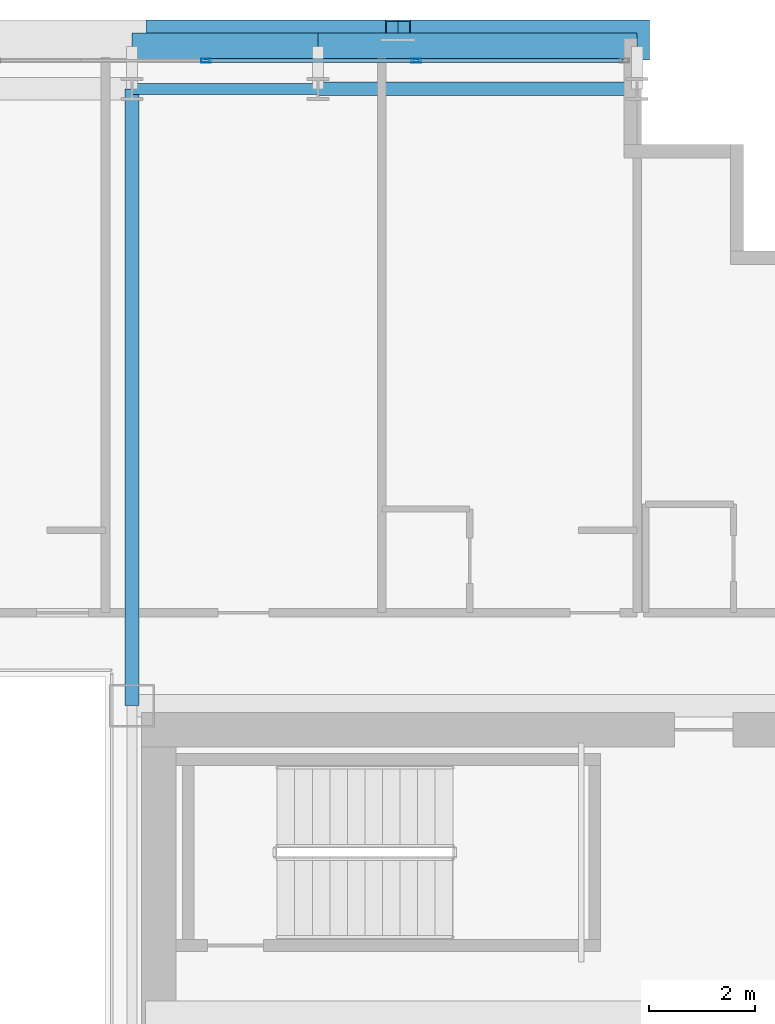
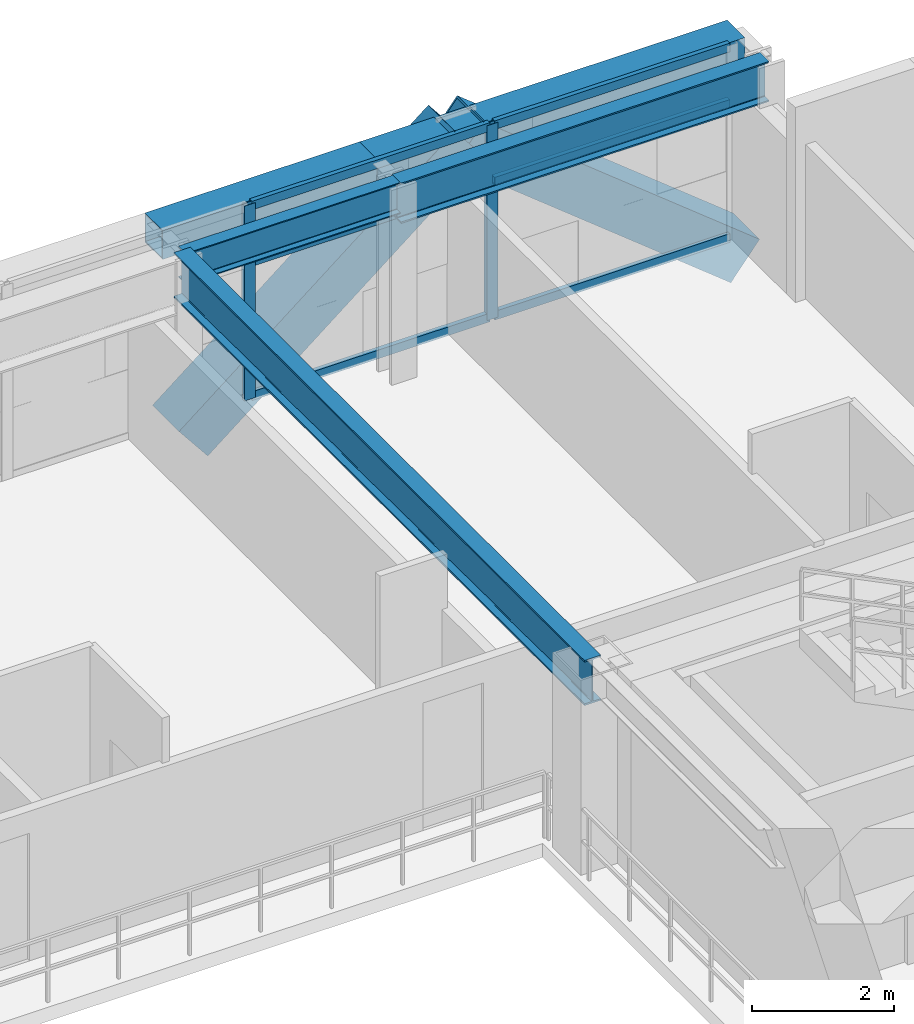
# One storey, part 21 of 35: 10 members, 5 beams, 1 element without a shape of its own.
"""IFC4 building model written with IfcOpenShell, lengths in metres."""

from ifc_helpers import new_model, si_unit, direction, frame, origin, origin_2d, place, context, subcontext, project, spatial, hollow_rectangle, i_section, extrude, source, transform, mapped, material, layer, layer_set, material_profile, profile_set, type_object, element, aggregate, save


model = new_model("IFC4")

# Units and contexts
model_context = context("Model", 3, precision=1e-05, world=origin(), true_north=direction((0.0, 1.0)))
body_context = subcontext(model_context, "Body", "Model", "MODEL_VIEW")
ifc_project = project(units=[si_unit("LENGTHUNIT", "METRE"), si_unit("AREAUNIT", "SQUARE_METRE"), si_unit("VOLUMEUNIT", "CUBIC_METRE"), si_unit("PLANEANGLEUNIT", "RADIAN"), si_unit("MASSUNIT", "GRAM", prefix="KILO")], contexts=[model_context])

# Site, building, storey
site_placement = place(None, origin())
site = spatial("IfcSite", under=ifc_project, at=site_placement, CompositionType="ELEMENT")
building_placement = place(site_placement, origin())
building = spatial("IfcBuilding", under=site, at=building_placement, Name="Ocotamira Hotel", CompositionType="ELEMENT")
storey_placement = place(building_placement, frame((0.0, 0.0, 140.39990234375)))
storey = spatial("IfcBuildingStorey", under=building, at=storey_placement, Name="L35", CompositionType="ELEMENT", Elevation=140.39990234375)

# Beams
ifc_material_1 = material(Name="Steel ASTM A992 Grade 50", Category="steel")
ifc_material_profile_1 = material_profile(ifc_material_1, i_section(OverallWidth=0.256103515625, OverallDepth=0.693115234375, WebThickness=0.014404296875, FlangeThickness=0.023681640625, FilletRadius=0.01611328125, at=origin_2d()), Name="W27X114")
ifc_profile_set_1 = profile_set([ifc_material_profile_1], Name="Steel ASTM A992 Grade 50")
beam_type_1 = type_object("IfcBeamType", Name="BM-PRIM-W27X114", PredefinedType="BEAM", material=ifc_profile_set_1)
shared_shape_1 = source(origin(), body_context, "Body", "SweptSolid", [
    extrude(i_section(OverallWidth=0.256103515625, OverallDepth=0.693115234375, WebThickness=0.014404296875, FlangeThickness=0.023681640625, FilletRadius=0.01611328125, at=origin_2d()), origin(), (0.0, 0.0, 1.0), 6.0),
])
beam_1_placement = place(storey_placement, frame((44.0, 49.050048828125, 3.013671875), z_axis=(1.0, 0.0, 0.0), x_axis=(0.0, 1.0, 0.0)))
element("IfcBeam", 1, at=beam_1_placement, inside=storey, type_object=beam_type_1, Name="L35 Girder Y49.05 X44-50", PredefinedType="BEAM", context=body_context, shape_type="MappedRepresentation", body=[
    mapped(shared_shape_1, transform((0.0, 0.0, 0.0), scale=1.0)),
])
ifc_material_profile_2 = material_profile(ifc_material_1, i_section(OverallWidth=0.2099609375, OverallDepth=0.537109375, WebThickness=0.010986328125, FlangeThickness=0.017333984375, FilletRadius=0.012939453125, at=origin_2d()), Name="W21X68")
ifc_profile_set_2 = profile_set([ifc_material_profile_2], Name="Steel ASTM A992 Grade 50")
beam_type_2 = type_object("IfcBeamType", Name="BM-SEC-W21X68", PredefinedType="JOIST", material=ifc_profile_set_2)
shared_shape_2 = source(origin(), body_context, "Body", "SweptSolid", [
    extrude(i_section(OverallWidth=0.2099609375, OverallDepth=0.537109375, WebThickness=0.010986328125, FlangeThickness=0.017333984375, FilletRadius=0.012939453125, at=origin_2d()), origin(), (0.0, 0.0, 1.0), 3.5),
])
beam_2_placement = place(storey_placement, frame((40.5, 49.050048828125, 3.091552734375), z_axis=(1.0, 0.0, 0.0), x_axis=(0.0, 1.0, 0.0)))
element("IfcBeam", 2, at=beam_2_placement, inside=storey, type_object=beam_type_2, Name="L35 Girder Y49.05 X40.5-44", PredefinedType="JOIST", context=body_context, shape_type="MappedRepresentation", body=[
    mapped(shared_shape_2, transform((0.0, 0.0, 0.0), scale=1.0)),
])
ifc_material_profile_3 = material_profile(ifc_material_1, i_section(OverallWidth=0.26611328125, OverallDepth=0.779052734375, WebThickness=0.0166015625, FlangeThickness=0.030029296875, FilletRadius=0.01806640625, at=origin_2d()), Name="W30X148")
ifc_profile_set_3 = profile_set([ifc_material_profile_3], Name="Steel ASTM A992 Grade 50")
beam_type_3 = type_object("IfcBeamType", Name="BM-GIRD-W30X148", PredefinedType="BEAM", material=ifc_profile_set_3)
shared_shape_3 = source(origin(), body_context, "Body", "SweptSolid", [
    extrude(i_section(OverallWidth=0.26611328125, OverallDepth=0.779052734375, WebThickness=0.0166015625, FlangeThickness=0.030029296875, FilletRadius=0.01806640625, at=origin_2d()), origin(), (0.0, 0.0, 1.0), 11.60009765625),
])
beam_3_placement = place(storey_placement, frame((40.5, 37.449951171875, 2.970703125), z_axis=(0.0, 1.0, 0.0), x_axis=(-1.0, 0.0, 0.0)))
element("IfcBeam", 3, at=beam_3_placement, inside=storey, type_object=beam_type_3, Name="L35 Beam X40.5 Y37.45-49.05", PredefinedType="BEAM", context=body_context, shape_type="MappedRepresentation", body=[
    mapped(shared_shape_3, transform((0.0, 0.0, 0.0), scale=1.0)),
])
ifc_material_2 = material(Name="Steel ASTM A500 Grade C", Category="steel")
ifc_material_profile_4 = material_profile(ifc_material_2, hollow_rectangle(XDim=0.5, YDim=0.5, WallThickness=0.02001953125, at=origin_2d()), Name="HSS500X500X20")
ifc_profile_set_4 = profile_set([ifc_material_profile_4], Name="Steel ASTM A500 Grade C")
beam_type_4 = type_object("IfcBeamType", Name="BM-SPAN-HSS500", PredefinedType="USERDEFINED", material=ifc_profile_set_4)
shared_shape_4 = source(origin(), body_context, "Body", "SweptSolid", [
    extrude(hollow_rectangle(XDim=0.5, YDim=0.5, WallThickness=0.02001953125, at=origin_2d()), origin(), (0.0, 0.0, 1.0), 6.0),
])
beam_4_placement = place(storey_placement, frame((44.0, 49.85009765625, 3.110107421875), z_axis=(1.0, 0.0, 0.0), x_axis=(0.0, 1.0, 0.0)))
element("IfcBeam", 4, at=beam_4_placement, inside=storey, type_object=beam_type_4, Name="L35 Edge Spandrel N X44-50", ObjectType="SPANDREL", PredefinedType="USERDEFINED", context=body_context, shape_type="MappedRepresentation", body=[
    mapped(shared_shape_4, transform((0.0, 0.0, 0.0), scale=1.0)),
])
shared_shape_5 = source(origin(), body_context, "Body", "SweptSolid", [
    extrude(hollow_rectangle(XDim=0.5, YDim=0.5, WallThickness=0.02001953125, at=origin_2d()), origin(), (0.0, 0.0, 1.0), 3.5),
])
beam_5_placement = place(storey_placement, frame((40.5, 49.85009765625, 3.110107421875), z_axis=(1.0, 0.0, 0.0), x_axis=(0.0, 1.0, 0.0)))
element("IfcBeam", 5, at=beam_5_placement, inside=storey, type_object=beam_type_4, Name="L35 Edge Spandrel N X40.5-44", ObjectType="SPANDREL", PredefinedType="USERDEFINED", context=body_context, shape_type="MappedRepresentation", body=[
    mapped(shared_shape_5, transform((0.0, 0.0, 0.0), scale=1.0)),
])

# Members
ifc_material_3 = material(Name="Pale-metal coated steel ASTM A913 Grade 65", Category="steel")
ifc_material_profile_5 = material_profile(ifc_material_3, hollow_rectangle(XDim=0.75, YDim=0.75, WallThickness=0.028076171875, at=origin_2d()), Name="BOX750X750X28")
ifc_profile_set_5 = profile_set([ifc_material_profile_5], Name="Pale-metal coated steel ASTM A913 Grade 65")
member_type_1 = type_object("IfcMemberType", Name="MEM-EXO-BOX750", PredefinedType="BRACE", material=ifc_profile_set_5)
shared_shape_6 = source(origin(), body_context, "Body", "SweptSolid", [
    extrude(hollow_rectangle(XDim=0.75, YDim=0.75, WallThickness=0.028076171875, at=origin_2d()), origin(), (0.0, 0.0, 1.0), 5.762939453125),
])
for number, where, z_axis, x_axis, name in (
    (6, (41.0, 49.969970703125, -0.489990234375), (0.780860543151, 0.0, 0.624705380279), (0.0, 1.0, 0.0), "L35 Exoskeleton Diagrid N3.1"),
    (7, (50.0, 49.969970703125, -0.489990234375), (-0.780860543151, 0.0, 0.624705380279), (0.0, -1.0, 0.0), "L35 Exoskeleton Diagrid N3.2"),
):
    element("IfcMember", number, at=place(storey_placement, frame(where, z_axis=z_axis, x_axis=x_axis)), inside=storey, type_object=member_type_1, Name=name, PredefinedType="BRACE", context=body_context, shape_type="MappedRepresentation", body=[
        mapped(shared_shape_6, transform((0.0, 0.0, 0.0), scale=1.0)),
    ])

# Curtain wall, members
ifc_material_4 = material(Name="Anodised pale-metal aluminium and solar glass", Category="aluminium")
ifc_layer = layer(ifc_material_4, 0.179931640625)
ifc_layer_set = layer_set([ifc_layer], Name="Anodised pale-metal aluminium and solar glass")
curtain_wall_type = type_object("IfcCurtainWallType", Name="CW-SYS3-Z2", PredefinedType="NOTDEFINED", material=ifc_layer_set)
curtain_wall_placement = place(storey_placement, origin())
curtain_wall = element("IfcCurtainWall", 8, at=curtain_wall_placement, inside=storey, type_object=curtain_wall_type, Name="L35 Curtain Wall CW-3 CW-L35-N", PredefinedType="NOTDEFINED")
ifc_material_5 = material(Name="Anodised pale-metal aluminium 6063-T6", Category="aluminium")
ifc_material_profile_6 = material_profile(ifc_material_5, hollow_rectangle(XDim=0.074951171875, YDim=0.14990234375, WallThickness=0.006103515625, at=origin_2d()), Name="HSS150X75X6")
ifc_profile_set_6 = profile_set([ifc_material_profile_6], Name="Anodised pale-metal aluminium 6063-T6")
member_type_2 = type_object("IfcMemberType", Name="CWT-150X75", PredefinedType="USERDEFINED", material=ifc_profile_set_6)
shared_shape_7 = source(origin(), body_context, "Body", "SweptSolid", [
    extrude(hollow_rectangle(XDim=0.074951171875, YDim=0.14990234375, WallThickness=0.006103515625, at=origin_2d()), origin(), (0.0, 0.0, 1.0), 3.83544921875),
])
member_1_placement = place(storey_placement, frame((45.884521484375, 49.580078125, 0.03759765625), z_axis=(1.0, 0.0, 0.0), x_axis=(0.0, 1.0, 0.0)))
member_1 = element("IfcMember", 9, at=member_1_placement, type_object=member_type_2, Name="CW-3 transom 9.1", ObjectType="TRANSOM", PredefinedType="USERDEFINED", context=body_context, shape_type="MappedRepresentation", body=[
    mapped(shared_shape_7, transform((0.0, 0.0, 0.0), scale=1.0)),
])
member_2_placement = place(storey_placement, frame((45.884521484375, 49.580078125, 2.35009765625), z_axis=(1.0, 0.0, 0.0), x_axis=(0.0, 1.0, 0.0)))
member_2 = element("IfcMember", 10, at=member_2_placement, type_object=member_type_2, Name="CW-3 transom 9.2", ObjectType="TRANSOM", PredefinedType="USERDEFINED", context=body_context, shape_type="MappedRepresentation", body=[
    mapped(shared_shape_7, transform((0.0, 0.0, 0.0), scale=1.0)),
])
member_3_placement = place(storey_placement, frame((45.884521484375, 49.580078125, 3.322509765625), z_axis=(1.0, 0.0, 0.0), x_axis=(0.0, 1.0, 0.0)))
member_3 = element("IfcMember", 11, at=member_3_placement, type_object=member_type_2, Name="CW-3 transom 9.3", ObjectType="TRANSOM", PredefinedType="USERDEFINED", context=body_context, shape_type="MappedRepresentation", body=[
    mapped(shared_shape_7, transform((0.0, 0.0, 0.0), scale=1.0)),
])
shared_shape_8 = source(origin(), body_context, "Body", "SweptSolid", [
    extrude(hollow_rectangle(XDim=0.074951171875, YDim=0.14990234375, WallThickness=0.006103515625, at=origin_2d()), origin(), (0.0, 0.0, 1.0), 3.87548828125),
])
member_4_placement = place(storey_placement, frame((41.928955078125, 49.580078125, 0.03759765625), z_axis=(1.0, 0.0, 0.0), x_axis=(0.0, 1.0, 0.0)))
member_4 = element("IfcMember", 12, at=member_4_placement, type_object=member_type_2, Name="CW-3 transom 8.1", ObjectType="TRANSOM", PredefinedType="USERDEFINED", context=body_context, shape_type="MappedRepresentation", body=[
    mapped(shared_shape_8, transform((0.0, 0.0, 0.0), scale=1.0)),
])
member_5_placement = place(storey_placement, frame((41.928955078125, 49.580078125, 2.35009765625), z_axis=(1.0, 0.0, 0.0), x_axis=(0.0, 1.0, 0.0)))
member_5 = element("IfcMember", 13, at=member_5_placement, type_object=member_type_2, Name="CW-3 transom 8.2", ObjectType="TRANSOM", PredefinedType="USERDEFINED", context=body_context, shape_type="MappedRepresentation", body=[
    mapped(shared_shape_8, transform((0.0, 0.0, 0.0), scale=1.0)),
])
member_6_placement = place(storey_placement, frame((41.928955078125, 49.580078125, 3.322509765625), z_axis=(1.0, 0.0, 0.0), x_axis=(0.0, 1.0, 0.0)))
member_6 = element("IfcMember", 14, at=member_6_placement, type_object=member_type_2, Name="CW-3 transom 8.3", ObjectType="TRANSOM", PredefinedType="USERDEFINED", context=body_context, shape_type="MappedRepresentation", body=[
    mapped(shared_shape_8, transform((0.0, 0.0, 0.0), scale=1.0)),
])
ifc_material_profile_7 = material_profile(ifc_material_5, hollow_rectangle(XDim=0.080078125, YDim=0.179931640625, WallThickness=0.006103515625, at=origin_2d()), Name="HSS180X80X6")
ifc_profile_set_7 = profile_set([ifc_material_profile_7], Name="Anodised pale-metal aluminium 6063-T6")
member_type_3 = type_object("IfcMemberType", Name="CWM-180X75", PredefinedType="MULLION", material=ifc_profile_set_7)
shared_shape_9 = source(origin(), body_context, "Body", "SweptSolid", [
    extrude(hollow_rectangle(XDim=0.080078125, YDim=0.179931640625, WallThickness=0.006103515625, at=origin_2d()), origin(), (0.0, 0.0, 1.0), 3.360107421875),
])
member_7_placement = place(storey_placement, frame((41.888916015625, 49.580078125, 0.0), z_axis=(0.0, 0.0, 1.0), x_axis=(0.0, 1.0, 0.0)))
member_7 = element("IfcMember", 15, at=member_7_placement, type_object=member_type_3, Name="CW-3 mullion 8", PredefinedType="MULLION", context=body_context, shape_type="MappedRepresentation", body=[
    mapped(shared_shape_9, transform((0.0, 0.0, 0.0), scale=1.0)),
])
member_8_placement = place(storey_placement, frame((45.844482421875, 49.580078125, 0.0), z_axis=(0.0, 0.0, 1.0), x_axis=(0.0, 1.0, 0.0)))
member_8 = element("IfcMember", 16, at=member_8_placement, type_object=member_type_3, Name="CW-3 mullion 9", PredefinedType="MULLION", context=body_context, shape_type="MappedRepresentation", body=[
    mapped(shared_shape_9, transform((0.0, 0.0, 0.0), scale=1.0)),
])
aggregate(curtain_wall, [member_7, member_8, member_4, member_5, member_6, member_1, member_2, member_3])

save(model, "model.ifc")
